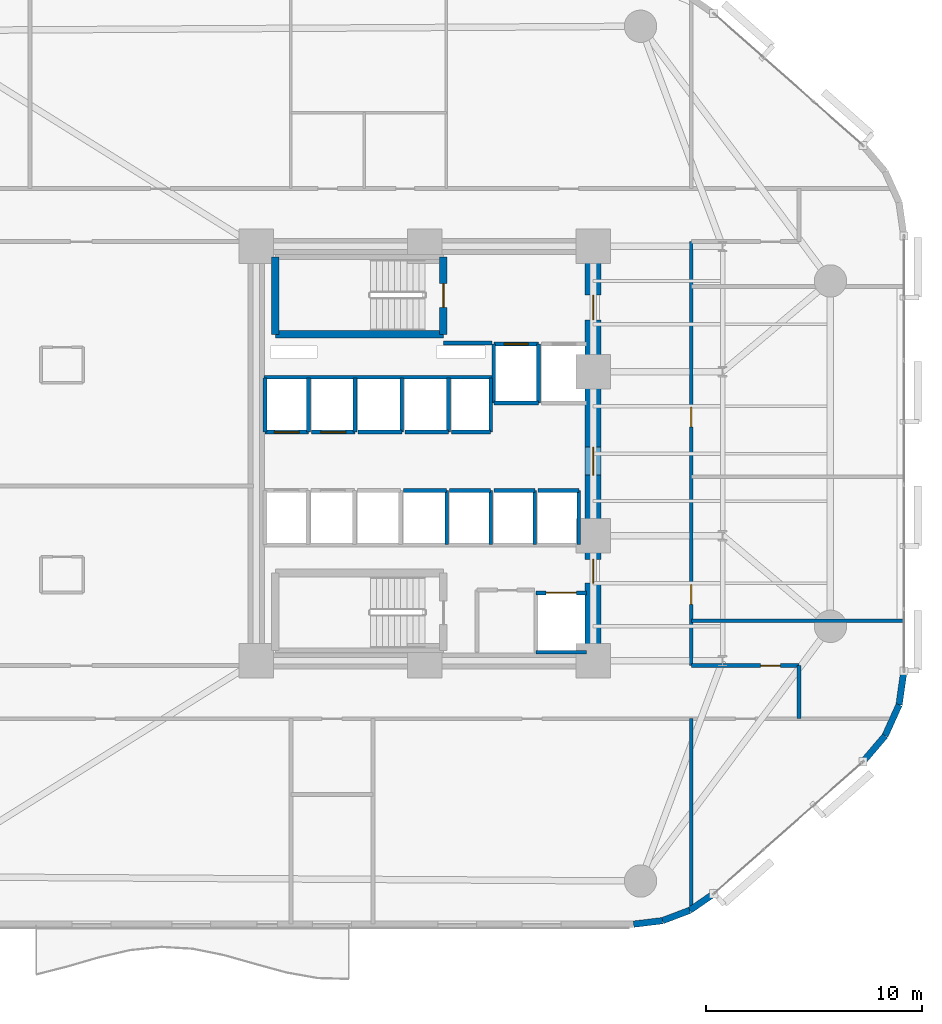
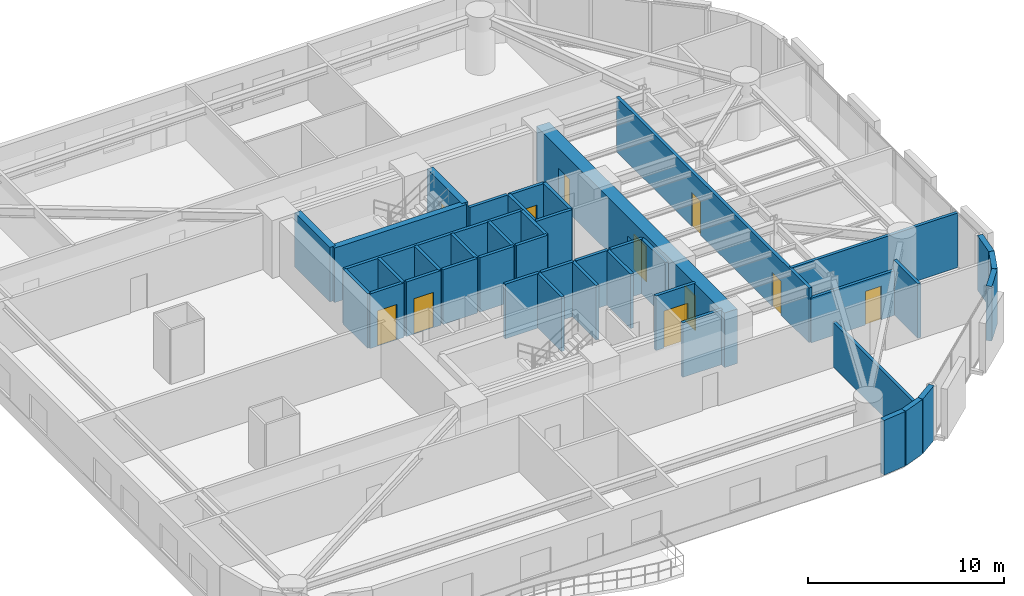
# One storey, part 11 of 16: 42 walls, 11 doors, 11 openings.
"""IFC4 building model written with IfcOpenShell, lengths in metres."""

from ifc_helpers import new_model, si_unit, direction, frame, frame_2d, origin, place, context, subcontext, project, spatial, rectangle, extrude, material, layer, layer_set, type_object, element, fill, save


model = new_model("IFC4")

# Units and contexts
model_context = context("Model", 3, precision=1e-05, world=origin(), true_north=direction((0.0, 1.0)))
body_context = subcontext(model_context, "Body", "Model", "MODEL_VIEW")
ifc_project = project(units=[si_unit("LENGTHUNIT", "METRE"), si_unit("AREAUNIT", "SQUARE_METRE"), si_unit("VOLUMEUNIT", "CUBIC_METRE"), si_unit("PLANEANGLEUNIT", "RADIAN"), si_unit("MASSUNIT", "GRAM", prefix="KILO")], contexts=[model_context])

# Site, building, storey
site_placement = place(None, origin())
site = spatial("IfcSite", under=ifc_project, at=site_placement, CompositionType="ELEMENT")
building_placement = place(site_placement, origin())
building = spatial("IfcBuilding", under=site, at=building_placement, Name="An Khanh Terracotta Commons", CompositionType="ELEMENT")
storey_placement = place(building_placement, frame((0.0, 0.0, 43.199951171875)))
storey = spatial("IfcBuildingStorey", under=building, at=storey_placement, Name="L11", CompositionType="ELEMENT", Elevation=43.199951171875)

# Wall, openings, doors
ifc_material_1 = material(Name="Concrete C70/85", Category="concrete")
ifc_layer_1 = layer(ifc_material_1, 0.75, Name="Concrete C70/85")
ifc_layer_set_1 = layer_set([ifc_layer_1], Name="Concrete C70/85")
wall_type_1 = type_object("IfcWallType", Name="WALL-CORE-750", PredefinedType="SHEAR", material=ifc_layer_set_1)
wall_1_placement = place(storey_placement, frame((37.199951171875, 14.39990234375, 0.0), z_axis=(0.0, 0.0, 1.0), x_axis=(0.0, 1.0, 0.0)))
wall_1 = element("IfcWall", 1, at=wall_1_placement, inside=storey, type_object=wall_type_1, Name="L11 Core Wall CWALL-L11-E", PredefinedType="SHEAR", context=body_context, shape_type="SweptSolid", body=[
    extrude(rectangle(XDim=19.2001953125, YDim=0.75, at=frame_2d((9.60009765625, 0.0))), origin(), (0.0, 0.0, 1.0), 3.400146484375),
])
opening_1_placement = place(wall_1_placement, frame((15.800048828125, 0.0, 0.0)))
opening_1 = element("IfcOpeningElement", 2, at=opening_1_placement, cuts=wall_1, Name="Opening D-FFL", PredefinedType="OPENING", context=body_context, shape_type="SweptSolid", body=[
    extrude(rectangle(XDim=1.14990234375, YDim=2.14990234375, at=frame_2d((0.574951171875, 1.074951171875))), frame((0.0, 0.385009765625, 0.0), z_axis=(0.0, -1.0, 0.0), x_axis=(1.0, 0.0, 0.0)), (0.0, 0.0, 1.0), 0.77001953125),
])
opening_2_placement = place(wall_1_placement, frame((3.60009765625, 0.0, 0.0)))
opening_2 = element("IfcOpeningElement", 3, at=opening_2_placement, cuts=wall_1, Name="Opening D-ST", PredefinedType="OPENING", context=body_context, shape_type="SweptSolid", body=[
    extrude(rectangle(XDim=1.10009765625, YDim=2.14990234375, at=frame_2d((0.550048828125, 1.074951171875))), frame((0.0, 0.385009765625, 0.0), z_axis=(0.0, -1.0, 0.0), x_axis=(1.0, 0.0, 0.0)), (0.0, 0.0, 1.0), 0.77001953125),
])
opening_3_placement = place(wall_1_placement, frame((8.60009765625, 0.0, 0.0)))
opening_3 = element("IfcOpeningElement", 4, at=opening_3_placement, cuts=wall_1, Name="Opening D-COR", PredefinedType="OPENING", context=body_context, shape_type="SweptSolid", body=[
    extrude(rectangle(XDim=1.300048828125, YDim=2.199951171875, at=frame_2d((0.64990234375, 1.10009765625))), frame((0.0, 0.385009765625, 0.0), z_axis=(0.0, -1.0, 0.0), x_axis=(1.0, 0.0, 0.0)), (0.0, 0.0, 1.0), 0.77001953125),
])
ifc_material_2 = material(Name="Fire-Rated Glazed Steel Double Door", Category="steel")
door_type_1 = type_object("IfcDoorType", Name="DOOR-CORR-1300", OperationType="NOTDEFINED", PredefinedType="DOOR", material=ifc_material_2)
door_1_placement = place(opening_3_placement, origin())
door_1 = element("IfcDoor", 5, at=door_1_placement, inside=storey, type_object=door_type_1, Name="L11 Passenger Lift Lobby Double Door", OperationType="DOUBLE_DOOR_SINGLE_SWING", OverallHeight=2.199951171875, OverallWidth=1.300048828125, PredefinedType="DOOR", context=body_context, shape_type="SweptSolid", body=[
    extrude(rectangle(XDim=1.300048828125, YDim=2.199951171875, at=frame_2d((0.64990234375, 1.10009765625))), frame((0.0, 0.02490234375, 0.0), z_axis=(0.0, -1.0, 0.0), x_axis=(1.0, 0.0, 0.0)), (0.0, 0.0, 1.0), 0.050048828125),
])
fill(opening_3, door_1)
ifc_material_3 = material(Name="Fire-Rated Steel Leaf and Vision Panel", Category="steel")
door_type_2 = type_object("IfcDoorType", Name="DOOR-FFL-1150", OperationType="NOTDEFINED", PredefinedType="DOOR", material=ifc_material_3)
door_2_placement = place(opening_1_placement, origin())
door_2 = element("IfcDoor", 6, at=door_2_placement, inside=storey, type_object=door_type_2, Name="L11 Firefighting Lift Lobby Fire Door", OperationType="SINGLE_SWING_RIGHT", OverallHeight=2.14990234375, OverallWidth=1.14990234375, PredefinedType="DOOR", context=body_context, shape_type="SweptSolid", body=[
    extrude(rectangle(XDim=1.14990234375, YDim=2.14990234375, at=frame_2d((0.574951171875, 1.074951171875))), frame((0.0, 0.02490234375, 0.0), z_axis=(0.0, -1.0, 0.0), x_axis=(1.0, 0.0, 0.0)), (0.0, 0.0, 1.0), 0.050048828125),
])
fill(opening_1, door_2)
ifc_material_4 = material(Name="Fire-Rated Steel Leaf and Frame", Category="steel")
door_type_3 = type_object("IfcDoorType", Name="DOOR-STAIR-1100", OperationType="NOTDEFINED", PredefinedType="DOOR", material=ifc_material_4)
door_3_placement = place(opening_2_placement, origin())
door_3 = element("IfcDoor", 7, at=door_3_placement, inside=storey, type_object=door_type_3, Name="L11 South Stair Lobby Fire Door", OperationType="SINGLE_SWING_LEFT", OverallHeight=2.14990234375, OverallWidth=1.10009765625, PredefinedType="DOOR", context=body_context, shape_type="SweptSolid", body=[
    extrude(rectangle(XDim=1.10009765625, YDim=2.14990234375, at=frame_2d((0.550048828125, 1.074951171875))), frame((0.0, 0.02490234375, 0.0), z_axis=(0.0, -1.0, 0.0), x_axis=(1.0, 0.0, 0.0)), (0.0, 0.0, 1.0), 0.050048828125),
])
fill(opening_2, door_3)

# Walls
ifc_material_5 = material(Name="Fire-Rated Gypsum Board on Steel Stud", Category="steel")
ifc_layer_2 = layer(ifc_material_5, 0.179931640625, Name="Fire-Rated Gypsum Board on Steel Stud")
ifc_layer_set_2 = layer_set([ifc_layer_2], Name="Fire-Rated Gypsum Board on Steel Stud")
wall_type_2 = type_object("IfcWallType", Name="WALL-CORR-180", PredefinedType="PARTITIONING", material=ifc_layer_set_2)
wall_2_placement = place(storey_placement, frame((30.27001953125, 29.1201171875, 0.0), z_axis=(0.0, 0.0, 1.0), x_axis=(1.0, 0.0, 0.0)))
element("IfcWall", 8, at=wall_2_placement, inside=storey, type_object=wall_type_2, Name="L11 Core Wall FFLW-L11-S", PredefinedType="PARTITIONING", context=body_context, shape_type="SweptSolid", body=[
    extrude(rectangle(XDim=2.239990234375, YDim=0.179931640625, at=frame_2d((1.1201171875, 0.0))), origin(), (0.0, 0.0, 1.0), 3.400146484375),
])
wall_3_placement = place(storey_placement, frame((21.949951171875, 27.5400390625, 0.0), z_axis=(0.0, 0.0, 1.0), x_axis=(1.0, 0.0, 0.0)))
element("IfcWall", 9, at=wall_3_placement, inside=storey, type_object=wall_type_2, Name="L11 Core Wall RSRW-L11-S", PredefinedType="PARTITIONING", context=body_context, shape_type="SweptSolid", body=[
    extrude(rectangle(XDim=10.56005859375, YDim=0.179931640625, at=frame_2d((5.280029296875, 0.0))), origin(), (0.0, 0.0, 1.0), 3.400146484375),
])

# Wall, opening, door
wall_4_placement = place(storey_placement, frame((32.60009765625, 29.080078125, 0.0), z_axis=(0.0, 0.0, 1.0), x_axis=(1.0, 0.0, 0.0)))
wall_4 = element("IfcWall", 10, at=wall_4_placement, inside=storey, type_object=wall_type_2, Name="L11 Core Wall LSH-L11-FFL-01-N", PredefinedType="PARTITIONING", context=body_context, shape_type="SweptSolid", body=[
    extrude(rectangle(XDim=2.079833984375, YDim=0.179931640625, at=frame_2d((1.0400390625, 0.0))), origin(), (0.0, 0.0, 1.0), 3.400146484375),
])
opening_4_placement = place(wall_4_placement, frame((0.489990234375, 0.0, 0.0)))
opening_4 = element("IfcOpeningElement", 11, at=opening_4_placement, cuts=wall_4, Name="Opening LD-FFL-01-L11", PredefinedType="OPENING", context=body_context, shape_type="SweptSolid", body=[
    extrude(rectangle(XDim=1.10009765625, YDim=2.199951171875, at=frame_2d((0.550048828125, 1.10009765625))), frame((0.0, 0.099853515625, 0.0), z_axis=(0.0, -1.0, 0.0), x_axis=(1.0, 0.0, 0.0)), (0.0, 0.0, 1.0), 0.199951171875),
])
ifc_material_6 = material(Name="Brushed Stainless Steel Fire Landing Door", Category="steel")
door_type_4 = type_object("IfcDoorType", Name="DOOR-LD-FFL-1100", OperationType="NOTDEFINED", PredefinedType="DOOR", material=ifc_material_6)
door_4_placement = place(opening_4_placement, origin())
door_4 = element("IfcDoor", 12, at=door_4_placement, inside=storey, type_object=door_type_4, Name="L11 Lift FFL-01 Sliding Landing Door", OperationType="DOUBLE_DOOR_SLIDING", OverallHeight=2.199951171875, OverallWidth=1.10009765625, PredefinedType="DOOR", context=body_context, shape_type="SweptSolid", body=[
    extrude(rectangle(XDim=1.10009765625, YDim=2.199951171875, at=frame_2d((0.550048828125, 1.10009765625))), frame((0.0, 0.02490234375, 0.0), z_axis=(0.0, -1.0, 0.0), x_axis=(1.0, 0.0, 0.0)), (0.0, 0.0, 1.0), 0.050048828125),
])
fill(opening_4, door_4)

# Walls
wall_5_placement = place(storey_placement, frame((34.679931640625, 26.35009765625, 0.0), z_axis=(0.0, 0.0, 1.0), x_axis=(-1.0, 0.0, 0.0)))
element("IfcWall", 13, at=wall_5_placement, inside=storey, type_object=wall_type_2, Name="L11 Core Wall LSH-L11-FFL-01-S", PredefinedType="PARTITIONING", context=body_context, shape_type="SweptSolid", body=[
    extrude(rectangle(XDim=2.079833984375, YDim=0.179931640625, at=frame_2d((1.0400390625, 0.0))), origin(), (0.0, 0.0, 1.0), 3.400146484375),
])
for number, where, z_axis, x_axis, name in (
    (14, (34.679931640625, 26.35009765625, 0.0), (0.0, 0.0, 1.0), (0.0, 1.0, 0.0), "L11 Core Wall LSH-L11-FFL-01-E"),
    (15, (32.60009765625, 29.080078125, 0.0), (0.0, 0.0, 1.0), (0.0, -1.0, 0.0), "L11 Core Wall LSH-L11-FFL-01-W"),
):
    element("IfcWall", number, at=place(storey_placement, frame(where, z_axis=z_axis, x_axis=x_axis)), inside=storey, type_object=wall_type_2, Name=name, PredefinedType="PARTITIONING", context=body_context, shape_type="SweptSolid", body=[
        extrude(rectangle(XDim=2.72998046875, YDim=0.179931640625, at=frame_2d((1.364990234375, 0.0))), origin(), (0.0, 0.0, 1.0), 3.400146484375),
    ])

# Wall, opening, door
wall_6_placement = place(storey_placement, frame((34.550048828125, 17.550048828125, 0.0), z_axis=(0.0, 0.0, 1.0), x_axis=(1.0, 0.0, 0.0)))
wall_6 = element("IfcWall", 16, at=wall_6_placement, inside=storey, type_object=wall_type_2, Name="L11 Core Wall LSH-L11-SVL-01-N", PredefinedType="PARTITIONING", context=body_context, shape_type="SweptSolid", body=[
    extrude(rectangle(XDim=2.349853515625, YDim=0.179931640625, at=frame_2d((1.1748046875, 0.0))), origin(), (0.0, 0.0, 1.0), 3.400146484375),
])
opening_5_placement = place(wall_6_placement, frame((0.47509765625, 0.0, 0.0)))
opening_5 = element("IfcOpeningElement", 17, at=opening_5_placement, cuts=wall_6, Name="Opening LD-SVL-01-L11", PredefinedType="OPENING", context=body_context, shape_type="SweptSolid", body=[
    extrude(rectangle(XDim=1.39990234375, YDim=2.300048828125, at=frame_2d((0.699951171875, 1.14990234375))), frame((0.0, 0.099853515625, 0.0), z_axis=(0.0, -1.0, 0.0), x_axis=(1.0, 0.0, 0.0)), (0.0, 0.0, 1.0), 0.199951171875),
])
ifc_material_7 = material(Name="Heavy-Duty Stainless Steel Goods Landing Door", Category="steel")
door_type_5 = type_object("IfcDoorType", Name="DOOR-LD-SVL-1400", OperationType="NOTDEFINED", PredefinedType="DOOR", material=ifc_material_7)
door_5_placement = place(opening_5_placement, origin())
door_5 = element("IfcDoor", 18, at=door_5_placement, inside=storey, type_object=door_type_5, Name="L11 Lift SVL-01 Sliding Landing Door", OperationType="DOUBLE_DOOR_SLIDING", OverallHeight=2.300048828125, OverallWidth=1.39990234375, PredefinedType="DOOR", context=body_context, shape_type="SweptSolid", body=[
    extrude(rectangle(XDim=1.39990234375, YDim=2.300048828125, at=frame_2d((0.699951171875, 1.14990234375))), frame((0.0, 0.02490234375, 0.0), z_axis=(0.0, -1.0, 0.0), x_axis=(1.0, 0.0, 0.0)), (0.0, 0.0, 1.0), 0.050048828125),
])
fill(opening_5, door_5)

# Wall
wall_7_placement = place(storey_placement, frame((36.89990234375, 14.800048828125, 0.0), z_axis=(0.0, 0.0, 1.0), x_axis=(-1.0, 0.0, 0.0)))
element("IfcWall", 19, at=wall_7_placement, inside=storey, type_object=wall_type_2, Name="L11 Core Wall LSH-L11-SVL-01-S", PredefinedType="PARTITIONING", context=body_context, shape_type="SweptSolid", body=[
    extrude(rectangle(XDim=2.349853515625, YDim=0.179931640625, at=frame_2d((1.1748046875, 0.0))), origin(), (0.0, 0.0, 1.0), 3.400146484375),
])

# Wall, opening, door
wall_8_placement = place(storey_placement, frame((24.02001953125, 25.0, 0.0), z_axis=(0.0, 0.0, 1.0), x_axis=(-1.0, 0.0, 0.0)))
wall_8 = element("IfcWall", 20, at=wall_8_placement, inside=storey, type_object=wall_type_2, Name="L11 Core Wall LSH-L11-PL-L1-S", PredefinedType="PARTITIONING", context=body_context, shape_type="SweptSolid", body=[
    extrude(rectangle(XDim=2.02001953125, YDim=0.179931640625, at=frame_2d((1.010009765625, 0.0))), origin(), (0.0, 0.0, 1.0), 3.400146484375),
])
opening_6_placement = place(wall_8_placement, frame((0.43505859375, 0.0, 0.0)))
opening_6 = element("IfcOpeningElement", 21, at=opening_6_placement, cuts=wall_8, Name="Opening LD-PL-L1-L11", PredefinedType="OPENING", context=body_context, shape_type="SweptSolid", body=[
    extrude(rectangle(XDim=1.14990234375, YDim=2.199951171875, at=frame_2d((0.574951171875, 1.10009765625))), frame((0.0, 0.099853515625, 0.0), z_axis=(0.0, -1.0, 0.0), x_axis=(1.0, 0.0, 0.0)), (0.0, 0.0, 1.0), 0.199951171875),
])
ifc_material_8 = material(Name="Brushed Stainless Steel Passenger Landing Door", Category="steel")
door_type_6 = type_object("IfcDoorType", Name="DOOR-LD-PAX-1150", OperationType="NOTDEFINED", PredefinedType="DOOR", material=ifc_material_8)
door_6_placement = place(opening_6_placement, origin())
door_6 = element("IfcDoor", 22, at=door_6_placement, inside=storey, type_object=door_type_6, Name="L11 Lift PL-L1 Sliding Landing Door", OperationType="DOUBLE_DOOR_SLIDING", OverallHeight=2.199951171875, OverallWidth=1.14990234375, PredefinedType="DOOR", context=body_context, shape_type="SweptSolid", body=[
    extrude(rectangle(XDim=1.14990234375, YDim=2.199951171875, at=frame_2d((0.574951171875, 1.10009765625))), frame((0.0, 0.02490234375, 0.0), z_axis=(0.0, -1.0, 0.0), x_axis=(1.0, 0.0, 0.0)), (0.0, 0.0, 1.0), 0.050048828125),
])
fill(opening_6, door_6)

# Walls
for number, where, z_axis, x_axis, name in (
    (23, (24.02001953125, 25.0, 0.0), (0.0, 0.0, 1.0), (0.0, 1.0, 0.0), "L11 Core Wall LSH-L11-PL-L1-E"),
    (24, (22.0, 27.5, 0.0), (0.0, 0.0, 1.0), (0.0, -1.0, 0.0), "L11 Core Wall LSH-L11-PL-L1-W"),
):
    element("IfcWall", number, at=place(storey_placement, frame(where, z_axis=z_axis, x_axis=x_axis)), inside=storey, type_object=wall_type_2, Name=name, PredefinedType="PARTITIONING", context=body_context, shape_type="SweptSolid", body=[
        extrude(rectangle(XDim=2.5, YDim=0.179931640625, at=frame_2d((1.25, 0.0))), origin(), (0.0, 0.0, 1.0), 3.400146484375),
    ])

# Wall, opening, door
wall_9_placement = place(storey_placement, frame((26.179931640625, 25.0, 0.0), z_axis=(0.0, 0.0, 1.0), x_axis=(-1.0, 0.0, 0.0)))
wall_9 = element("IfcWall", 25, at=wall_9_placement, inside=storey, type_object=wall_type_2, Name="L11 Core Wall LSH-L11-PL-L2-S", PredefinedType="PARTITIONING", context=body_context, shape_type="SweptSolid", body=[
    extrude(rectangle(XDim=2.02001953125, YDim=0.179931640625, at=frame_2d((1.010009765625, 0.0))), origin(), (0.0, 0.0, 1.0), 3.400146484375),
])
opening_7_placement = place(wall_9_placement, frame((0.43505859375, 0.0, 0.0)))
opening_7 = element("IfcOpeningElement", 26, at=opening_7_placement, cuts=wall_9, Name="Opening LD-PL-L2-L11", PredefinedType="OPENING", context=body_context, shape_type="SweptSolid", body=[
    extrude(rectangle(XDim=1.14990234375, YDim=2.199951171875, at=frame_2d((0.574951171875, 1.10009765625))), frame((0.0, 0.099853515625, 0.0), z_axis=(0.0, -1.0, 0.0), x_axis=(1.0, 0.0, 0.0)), (0.0, 0.0, 1.0), 0.199951171875),
])
door_7_placement = place(opening_7_placement, origin())
door_7 = element("IfcDoor", 27, at=door_7_placement, inside=storey, type_object=door_type_6, Name="L11 Lift PL-L2 Sliding Landing Door", OperationType="DOUBLE_DOOR_SLIDING", OverallHeight=2.199951171875, OverallWidth=1.14990234375, PredefinedType="DOOR", context=body_context, shape_type="SweptSolid", body=[
    extrude(rectangle(XDim=1.14990234375, YDim=2.199951171875, at=frame_2d((0.574951171875, 1.10009765625))), frame((0.0, 0.02490234375, 0.0), z_axis=(0.0, -1.0, 0.0), x_axis=(1.0, 0.0, 0.0)), (0.0, 0.0, 1.0), 0.050048828125),
])
fill(opening_7, door_7)

# Walls
wall_10_placement = place(storey_placement, frame((26.179931640625, 25.0, 0.0), z_axis=(0.0, 0.0, 1.0), x_axis=(0.0, 1.0, 0.0)))
element("IfcWall", 28, at=wall_10_placement, inside=storey, type_object=wall_type_2, Name="L11 Core Wall LSH-L11-PL-L2-E", PredefinedType="PARTITIONING", context=body_context, shape_type="SweptSolid", body=[
    extrude(rectangle(XDim=2.5, YDim=0.179931640625, at=frame_2d((1.25, 0.0))), origin(), (0.0, 0.0, 1.0), 3.400146484375),
])
wall_11_placement = place(storey_placement, frame((28.340087890625, 25.0, 0.0), z_axis=(0.0, 0.0, 1.0), x_axis=(-1.0, 0.0, 0.0)))
element("IfcWall", 29, at=wall_11_placement, inside=storey, type_object=wall_type_2, Name="L11 Core Wall LSH-L11-PL-M1-S", PredefinedType="PARTITIONING", context=body_context, shape_type="SweptSolid", body=[
    extrude(rectangle(XDim=2.02001953125, YDim=0.179931640625, at=frame_2d((1.010009765625, 0.0))), origin(), (0.0, 0.0, 1.0), 3.400146484375),
])
wall_12_placement = place(storey_placement, frame((28.340087890625, 25.0, 0.0), z_axis=(0.0, 0.0, 1.0), x_axis=(0.0, 1.0, 0.0)))
element("IfcWall", 30, at=wall_12_placement, inside=storey, type_object=wall_type_2, Name="L11 Core Wall LSH-L11-PL-M1-E", PredefinedType="PARTITIONING", context=body_context, shape_type="SweptSolid", body=[
    extrude(rectangle(XDim=2.5, YDim=0.179931640625, at=frame_2d((1.25, 0.0))), origin(), (0.0, 0.0, 1.0), 3.400146484375),
])
wall_13_placement = place(storey_placement, frame((30.5, 25.0, 0.0), z_axis=(0.0, 0.0, 1.0), x_axis=(-1.0, 0.0, 0.0)))
element("IfcWall", 31, at=wall_13_placement, inside=storey, type_object=wall_type_2, Name="L11 Core Wall LSH-L11-PL-M2-S", PredefinedType="PARTITIONING", context=body_context, shape_type="SweptSolid", body=[
    extrude(rectangle(XDim=2.02001953125, YDim=0.179931640625, at=frame_2d((1.010009765625, 0.0))), origin(), (0.0, 0.0, 1.0), 3.400146484375),
])
wall_14_placement = place(storey_placement, frame((30.5, 25.0, 0.0), z_axis=(0.0, 0.0, 1.0), x_axis=(0.0, 1.0, 0.0)))
element("IfcWall", 32, at=wall_14_placement, inside=storey, type_object=wall_type_2, Name="L11 Core Wall LSH-L11-PL-M2-E", PredefinedType="PARTITIONING", context=body_context, shape_type="SweptSolid", body=[
    extrude(rectangle(XDim=2.5, YDim=0.179931640625, at=frame_2d((1.25, 0.0))), origin(), (0.0, 0.0, 1.0), 3.400146484375),
])
wall_15_placement = place(storey_placement, frame((28.419921875, 22.300048828125, 0.0), z_axis=(0.0, 0.0, 1.0), x_axis=(1.0, 0.0, 0.0)))
element("IfcWall", 33, at=wall_15_placement, inside=storey, type_object=wall_type_2, Name="L11 Core Wall LSH-L11-PL-M4-N", PredefinedType="PARTITIONING", context=body_context, shape_type="SweptSolid", body=[
    extrude(rectangle(XDim=2.0, YDim=0.179931640625, at=frame_2d((1.0, 0.0))), origin(), (0.0, 0.0, 1.0), 3.400146484375),
])
wall_16_placement = place(storey_placement, frame((30.419921875, 19.800048828125, 0.0), z_axis=(0.0, 0.0, 1.0), x_axis=(0.0, 1.0, 0.0)))
element("IfcWall", 34, at=wall_16_placement, inside=storey, type_object=wall_type_2, Name="L11 Core Wall LSH-L11-PL-M4-E", PredefinedType="PARTITIONING", context=body_context, shape_type="SweptSolid", body=[
    extrude(rectangle(XDim=2.5, YDim=0.179931640625, at=frame_2d((1.25, 0.0))), origin(), (0.0, 0.0, 1.0), 3.400146484375),
])
wall_17_placement = place(storey_placement, frame((32.4599609375, 25.0, 0.0), z_axis=(0.0, 0.0, 1.0), x_axis=(-1.0, 0.0, 0.0)))
element("IfcWall", 35, at=wall_17_placement, inside=storey, type_object=wall_type_2, Name="L11 Core Wall LSH-L11-PL-H1-S", PredefinedType="PARTITIONING", context=body_context, shape_type="SweptSolid", body=[
    extrude(rectangle(XDim=1.820068359375, YDim=0.179931640625, at=frame_2d((0.91015625, 0.0))), origin(), (0.0, 0.0, 1.0), 3.400146484375),
])
wall_18_placement = place(storey_placement, frame((32.4599609375, 25.0, 0.0), z_axis=(0.0, 0.0, 1.0), x_axis=(0.0, 1.0, 0.0)))
element("IfcWall", 36, at=wall_18_placement, inside=storey, type_object=wall_type_2, Name="L11 Core Wall LSH-L11-PL-H1-E", PredefinedType="PARTITIONING", context=body_context, shape_type="SweptSolid", body=[
    extrude(rectangle(XDim=2.5, YDim=0.179931640625, at=frame_2d((1.25, 0.0))), origin(), (0.0, 0.0, 1.0), 3.400146484375),
])
wall_19_placement = place(storey_placement, frame((30.56005859375, 22.300048828125, 0.0), z_axis=(0.0, 0.0, 1.0), x_axis=(1.0, 0.0, 0.0)))
element("IfcWall", 37, at=wall_19_placement, inside=storey, type_object=wall_type_2, Name="L11 Core Wall LSH-L11-PL-H2-N", PredefinedType="PARTITIONING", context=body_context, shape_type="SweptSolid", body=[
    extrude(rectangle(XDim=1.89990234375, YDim=0.179931640625, at=frame_2d((0.949951171875, 0.0))), origin(), (0.0, 0.0, 1.0), 3.400146484375),
])
wall_20_placement = place(storey_placement, frame((32.4599609375, 19.800048828125, 0.0), z_axis=(0.0, 0.0, 1.0), x_axis=(0.0, 1.0, 0.0)))
element("IfcWall", 38, at=wall_20_placement, inside=storey, type_object=wall_type_2, Name="L11 Core Wall LSH-L11-PL-H2-E", PredefinedType="PARTITIONING", context=body_context, shape_type="SweptSolid", body=[
    extrude(rectangle(XDim=2.5, YDim=0.179931640625, at=frame_2d((1.25, 0.0))), origin(), (0.0, 0.0, 1.0), 3.400146484375),
])
wall_21_placement = place(storey_placement, frame((32.60009765625, 22.300048828125, 0.0), z_axis=(0.0, 0.0, 1.0), x_axis=(1.0, 0.0, 0.0)))
element("IfcWall", 39, at=wall_21_placement, inside=storey, type_object=wall_type_2, Name="L11 Core Wall LSH-L11-PL-H3-N", PredefinedType="PARTITIONING", context=body_context, shape_type="SweptSolid", body=[
    extrude(rectangle(XDim=1.89990234375, YDim=0.179931640625, at=frame_2d((0.949951171875, 0.0))), origin(), (0.0, 0.0, 1.0), 3.400146484375),
])
wall_22_placement = place(storey_placement, frame((34.5, 19.800048828125, 0.0), z_axis=(0.0, 0.0, 1.0), x_axis=(0.0, 1.0, 0.0)))
element("IfcWall", 40, at=wall_22_placement, inside=storey, type_object=wall_type_2, Name="L11 Core Wall LSH-L11-PL-H3-E", PredefinedType="PARTITIONING", context=body_context, shape_type="SweptSolid", body=[
    extrude(rectangle(XDim=2.5, YDim=0.179931640625, at=frame_2d((1.25, 0.0))), origin(), (0.0, 0.0, 1.0), 3.400146484375),
])
wall_23_placement = place(storey_placement, frame((34.639892578125, 22.300048828125, 0.0), z_axis=(0.0, 0.0, 1.0), x_axis=(1.0, 0.0, 0.0)))
element("IfcWall", 41, at=wall_23_placement, inside=storey, type_object=wall_type_2, Name="L11 Core Wall LSH-L11-PL-H4-N", PredefinedType="PARTITIONING", context=body_context, shape_type="SweptSolid", body=[
    extrude(rectangle(XDim=1.900146484375, YDim=0.179931640625, at=frame_2d((0.9501953125, 0.0))), origin(), (0.0, 0.0, 1.0), 3.400146484375),
])
wall_24_placement = place(storey_placement, frame((36.5400390625, 19.800048828125, 0.0), z_axis=(0.0, 0.0, 1.0), x_axis=(0.0, 1.0, 0.0)))
element("IfcWall", 42, at=wall_24_placement, inside=storey, type_object=wall_type_2, Name="L11 Core Wall LSH-L11-PL-H4-E", PredefinedType="PARTITIONING", context=body_context, shape_type="SweptSolid", body=[
    extrude(rectangle(XDim=2.5, YDim=0.179931640625, at=frame_2d((1.25, 0.0))), origin(), (0.0, 0.0, 1.0), 3.400146484375),
])

# Wall, opening, door
wall_25_placement = place(storey_placement, frame((41.75, 14.179931640625, 0.0), z_axis=(0.0, 0.0, 1.0), x_axis=(1.0, 0.0, 0.0)))
wall_25 = element("IfcWall", 43, at=wall_25_placement, inside=storey, type_object=wall_type_2, Name="L11 Interior Partition IW-L11-E004", PredefinedType="PARTITIONING", context=body_context, shape_type="SweptSolid", body=[
    extrude(rectangle(XDim=5.0, YDim=0.179931640625, at=frame_2d((2.5, 0.0))), origin(), (0.0, 0.0, 1.0), 2.781982421875),
])
opening_8_placement = place(wall_25_placement, frame((3.208984375, 0.0, 0.0)))
opening_8 = element("IfcOpeningElement", 44, at=opening_8_placement, cuts=wall_25, Name="Opening D-RM", PredefinedType="OPENING", context=body_context, shape_type="SweptSolid", body=[
    extrude(rectangle(XDim=0.919921875, YDim=2.10009765625, at=frame_2d((0.4599609375, 1.050048828125))), frame((0.0, 0.099853515625, 0.0), z_axis=(0.0, -1.0, 0.0), x_axis=(1.0, 0.0, 0.0)), (0.0, 0.0, 1.0), 0.199951171875),
])
ifc_material_9 = material(Name="Engineered Hardwood Timber Leaf", Category="wood")
door_type_7 = type_object("IfcDoorType", Name="DOOR-INT-920", OperationType="NOTDEFINED", PredefinedType="DOOR", material=ifc_material_9)
door_8_placement = place(opening_8_placement, origin())
door_8 = element("IfcDoor", 45, at=door_8_placement, inside=storey, type_object=door_type_7, Name="L11 FAN1 Co-Living Private Bedroom Door", OperationType="SINGLE_SWING_RIGHT", OverallHeight=2.10009765625, OverallWidth=0.919921875, PredefinedType="DOOR", context=body_context, shape_type="SweptSolid", body=[
    extrude(rectangle(XDim=0.919921875, YDim=2.10009765625, at=frame_2d((0.4599609375, 1.050048828125))), frame((0.0, 0.02490234375, 0.0), z_axis=(0.0, -1.0, 0.0), x_axis=(1.0, 0.0, 0.0)), (0.0, 0.0, 1.0), 0.050048828125),
])
fill(opening_8, door_8)

# Walls
wall_26_placement = place(storey_placement, frame((41.75, 16.258056640625, 0.0), z_axis=(0.0, 0.0, 1.0), x_axis=(1.0, 0.0, 0.0)))
element("IfcWall", 46, at=wall_26_placement, inside=storey, type_object=wall_type_2, Name="L11 Interior Partition IW-L11-E005", PredefinedType="PARTITIONING", context=body_context, shape_type="SweptSolid", body=[
    extrude(rectangle(XDim=9.85009765625, YDim=0.179931640625, at=frame_2d((4.925048828125, 0.0))), origin(), (0.0, 0.0, 1.0), 3.400146484375),
])
wall_27_placement = place(storey_placement, frame((41.75, 2.888916015625, 0.0), z_axis=(0.0, 0.0, 1.0), x_axis=(0.0, 1.0, 0.0)))
element("IfcWall", 47, at=wall_27_placement, inside=storey, type_object=wall_type_2, Name="L11 Interior Partition IW-L11-E021", PredefinedType="PARTITIONING", context=body_context, shape_type="SweptSolid", body=[
    extrude(rectangle(XDim=8.8310546875, YDim=0.179931640625, at=frame_2d((4.41552734375, 0.0))), origin(), (0.0, 0.0, 1.0), 2.781982421875),
])

# Wall, openings, doors
wall_28_placement = place(storey_placement, frame((41.75, 14.179931640625, 0.0), z_axis=(0.0, 0.0, 1.0), x_axis=(0.0, 1.0, 0.0)))
wall_28 = element("IfcWall", 48, at=wall_28_placement, inside=storey, type_object=wall_type_2, Name="L11 Interior Partition IW-L11-E022", PredefinedType="PARTITIONING", context=body_context, shape_type="SweptSolid", body=[
    extrude(rectangle(XDim=19.64013671875, YDim=0.179931640625, at=frame_2d((9.820068359375, 0.0))), origin(), (0.0, 0.0, 1.0), 3.400146484375),
])
opening_9_placement = place(wall_28_placement, frame((2.8359375, 0.0, 0.0)))
opening_9 = element("IfcOpeningElement", 49, at=opening_9_placement, cuts=wall_28, Name="Opening D-RM", PredefinedType="OPENING", context=body_context, shape_type="SweptSolid", body=[
    extrude(rectangle(XDim=0.919921875, YDim=2.10009765625, at=frame_2d((0.4599609375, 1.050048828125))), frame((0.0, 0.099853515625, 0.0), z_axis=(0.0, -1.0, 0.0), x_axis=(1.0, 0.0, 0.0)), (0.0, 0.0, 1.0), 0.199951171875),
])
opening_10_placement = place(wall_28_placement, frame((11.05908203125, 0.0, 0.0)))
opening_10 = element("IfcOpeningElement", 50, at=opening_10_placement, cuts=wall_28, Name="Opening D-RM", PredefinedType="OPENING", context=body_context, shape_type="SweptSolid", body=[
    extrude(rectangle(XDim=0.919921875, YDim=2.10009765625, at=frame_2d((0.4599609375, 1.050048828125))), frame((0.0, 0.099853515625, 0.0), z_axis=(0.0, -1.0, 0.0), x_axis=(1.0, 0.0, 0.0)), (0.0, 0.0, 1.0), 0.199951171875),
])
door_9_placement = place(opening_9_placement, origin())
door_9 = element("IfcDoor", 51, at=door_9_placement, inside=storey, type_object=door_type_7, Name="L11 FAN2 Collaborative Study Lounge Door", OperationType="SINGLE_SWING_LEFT", OverallHeight=2.10009765625, OverallWidth=0.919921875, PredefinedType="DOOR", context=body_context, shape_type="SweptSolid", body=[
    extrude(rectangle(XDim=0.919921875, YDim=2.10009765625, at=frame_2d((0.4599609375, 1.050048828125))), frame((0.0, 0.02490234375, 0.0), z_axis=(0.0, -1.0, 0.0), x_axis=(1.0, 0.0, 0.0)), (0.0, 0.0, 1.0), 0.050048828125),
])
fill(opening_9, door_9)
door_10_placement = place(opening_10_placement, origin())
door_10 = element("IfcDoor", 52, at=door_10_placement, inside=storey, type_object=door_type_7, Name="L11 FAN3 Collaborative Study Lounge Door", OperationType="SINGLE_SWING_RIGHT", OverallHeight=2.10009765625, OverallWidth=0.919921875, PredefinedType="DOOR", context=body_context, shape_type="SweptSolid", body=[
    extrude(rectangle(XDim=0.919921875, YDim=2.10009765625, at=frame_2d((0.4599609375, 1.050048828125))), frame((0.0, 0.02490234375, 0.0), z_axis=(0.0, -1.0, 0.0), x_axis=(1.0, 0.0, 0.0)), (0.0, 0.0, 1.0), 0.050048828125),
])
fill(opening_10, door_10)

# Walls
wall_29_placement = place(storey_placement, frame((46.75, 11.719970703125, 0.0), z_axis=(0.0, 0.0, 1.0), x_axis=(0.0, 1.0, 0.0)))
element("IfcWall", 53, at=wall_29_placement, inside=storey, type_object=wall_type_2, Name="L11 Interior Partition IW-L11-E024", PredefinedType="PARTITIONING", context=body_context, shape_type="SweptSolid", body=[
    extrude(rectangle(XDim=2.4599609375, YDim=0.179931640625, at=frame_2d((1.22998046875, 0.0))), origin(), (0.0, 0.0, 1.0), 3.400146484375),
])
ifc_material_10 = material(Name="Precast concrete C40/50", Category="concrete")
ifc_layer_3 = layer(ifc_material_10, 0.300048828125, Name="Precast concrete C40/50")
ifc_layer_set_3 = layer_set([ifc_layer_3], Name="Precast concrete C40/50")
wall_type_3 = type_object("IfcWallType", Name="WALL-EXT-300", PredefinedType="SOLIDWALL", material=ifc_layer_set_3)
wall_30_placement = place(storey_placement, frame((39.0791015625, 2.199951171875, 0.0), z_axis=(0.0, 0.0, 1.0), x_axis=(0.992739027259, 0.120288086515, 0.0)))
element("IfcWall", 54, at=wall_30_placement, inside=storey, type_object=wall_type_3, Name="L11 Insulated Terracotta Exterior Wall 5", PredefinedType="SOLIDWALL", context=body_context, shape_type="SweptSolid", body=[
    extrude(rectangle(XDim=1.34765625, YDim=0.300048828125, at=frame_2d((0.673828125, 0.0))), origin(), (0.0, 0.0, 1.0), 3.400146484375),
])
wall_31_placement = place(storey_placement, frame((40.4169921875, 2.362060546875, 0.0), z_axis=(0.0, 0.0, 1.0), x_axis=(0.935156721165, 0.354234254216, 0.0)))
element("IfcWall", 55, at=wall_31_placement, inside=storey, type_object=wall_type_3, Name="L11 Insulated Terracotta Exterior Wall 6", PredefinedType="SOLIDWALL", context=body_context, shape_type="SweptSolid", body=[
    extrude(rectangle(XDim=1.349365234375, YDim=0.300048828125, at=frame_2d((0.6748046875, 0.0))), origin(), (0.0, 0.0, 1.0), 3.400146484375),
])
wall_32_placement = place(storey_placement, frame((41.678955078125, 2.840087890625, 0.0), z_axis=(0.0, 0.0, 1.0), x_axis=(0.823116500192, 0.567872544777, 0.0)))
element("IfcWall", 56, at=wall_32_placement, inside=storey, type_object=wall_type_3, Name="L11 Insulated Terracotta Exterior Wall 7", PredefinedType="SOLIDWALL", context=body_context, shape_type="SweptSolid", body=[
    extrude(rectangle(XDim=1.3486328125, YDim=0.300048828125, at=frame_2d((0.67431640625, 0.0))), origin(), (0.0, 0.0, 1.0), 3.400146484375),
])
wall_33_placement = place(storey_placement, frame((49.7099609375, 9.72802734375, 0.0), z_axis=(0.0, 0.0, 1.0), x_axis=(0.648389989909, 0.7613083613, 0.0)))
element("IfcWall", 57, at=wall_33_placement, inside=storey, type_object=wall_type_3, Name="L11 Insulated Terracotta Exterior Wall 9", PredefinedType="SOLIDWALL", context=body_context, shape_type="SweptSolid", body=[
    extrude(rectangle(XDim=1.576171875, YDim=0.300048828125, at=frame_2d((0.7880859375, 0.0))), origin(), (0.0, 0.0, 1.0), 3.400146484375),
])
wall_34_placement = place(storey_placement, frame((50.73193359375, 10.927978515625, 0.0), z_axis=(0.0, 0.0, 1.0), x_axis=(0.410996558744, 0.911636895206, 0.0)))
element("IfcWall", 58, at=wall_34_placement, inside=storey, type_object=wall_type_3, Name="L11 Insulated Terracotta Exterior Wall 10", PredefinedType="SOLIDWALL", context=body_context, shape_type="SweptSolid", body=[
    extrude(rectangle(XDim=1.57421875, YDim=0.300048828125, at=frame_2d((0.787109375, 0.0))), origin(), (0.0, 0.0, 1.0), 3.400146484375),
])
wall_35_placement = place(storey_placement, frame((51.37890625, 12.363037109375, 0.0), z_axis=(0.0, 0.0, 1.0), x_axis=(0.140380048512, 0.990097693149, 0.0)))
element("IfcWall", 59, at=wall_35_placement, inside=storey, type_object=wall_type_3, Name="L11 Insulated Terracotta Exterior Wall 11", PredefinedType="SOLIDWALL", context=body_context, shape_type="SweptSolid", body=[
    extrude(rectangle(XDim=1.57568359375, YDim=0.300048828125, at=frame_2d((0.787841796875, 0.0))), origin(), (0.0, 0.0, 1.0), 3.400146484375),
])
ifc_material_11 = material(Name="Concrete C50/60", Category="concrete")
ifc_layer_4 = layer(ifc_material_11, 0.35009765625, Name="Concrete C50/60")
ifc_layer_set_4 = layer_set([ifc_layer_4], Name="Concrete C50/60")
wall_type_4 = type_object("IfcWallType", Name="WALL-SHAFT-350", PredefinedType="SOLIDWALL", material=ifc_layer_set_4)
wall_36_placement = place(storey_placement, frame((22.47998046875, 29.530029296875, 0.0), z_axis=(0.0, 0.0, 1.0), x_axis=(1.0, 0.0, 0.0)))
element("IfcWall", 60, at=wall_36_placement, inside=storey, type_object=wall_type_4, Name="L11 Core Wall STW-L11-N-S", PredefinedType="SOLIDWALL", context=body_context, shape_type="SweptSolid", body=[
    extrude(rectangle(XDim=7.7900390625, YDim=0.35009765625, at=frame_2d((3.89501953125, 0.0))), origin(), (0.0, 0.0, 1.0), 3.400146484375),
])
wall_37_placement = place(storey_placement, frame((22.47998046875, 29.530029296875, 0.0), z_axis=(0.0, 0.0, 1.0), x_axis=(0.0, 1.0, 0.0)))
element("IfcWall", 61, at=wall_37_placement, inside=storey, type_object=wall_type_4, Name="L11 Core Wall STW-L11-N-W", PredefinedType="SOLIDWALL", context=body_context, shape_type="SweptSolid", body=[
    extrude(rectangle(XDim=3.580078125, YDim=0.35009765625, at=frame_2d((1.7900390625, 0.0))), origin(), (0.0, 0.0, 1.0), 3.400146484375),
])

# Wall, opening, door
wall_38_placement = place(storey_placement, frame((30.27001953125, 29.530029296875, 0.0), z_axis=(0.0, 0.0, 1.0), x_axis=(0.0, 1.0, 0.0)))
wall_38 = element("IfcWall", 62, at=wall_38_placement, inside=storey, type_object=wall_type_4, Name="L11 Core Wall STW-L11-N-E", PredefinedType="SOLIDWALL", context=body_context, shape_type="SweptSolid", body=[
    extrude(rectangle(XDim=3.580078125, YDim=0.35009765625, at=frame_2d((1.7900390625, 0.0))), origin(), (0.0, 0.0, 1.0), 3.400146484375),
])
opening_11_placement = place(wall_38_placement, frame((1.25, 0.0, 0.0)))
opening_11 = element("IfcOpeningElement", 63, at=opening_11_placement, cuts=wall_38, Name="Opening D-ST", PredefinedType="OPENING", context=body_context, shape_type="SweptSolid", body=[
    extrude(rectangle(XDim=1.10009765625, YDim=2.14990234375, at=frame_2d((0.550048828125, 1.074951171875))), frame((0.0, 0.18505859375, 0.0), z_axis=(0.0, -1.0, 0.0), x_axis=(1.0, 0.0, 0.0)), (0.0, 0.0, 1.0), 0.3701171875),
])
door_11_placement = place(opening_11_placement, origin())
door_11 = element("IfcDoor", 64, at=door_11_placement, inside=storey, type_object=door_type_3, Name="L11 Stair ST-01 Fire Door", OperationType="SINGLE_SWING_RIGHT", OverallHeight=2.14990234375, OverallWidth=1.10009765625, PredefinedType="DOOR", context=body_context, shape_type="SweptSolid", body=[
    extrude(rectangle(XDim=1.10009765625, YDim=2.14990234375, at=frame_2d((0.550048828125, 1.074951171875))), frame((0.0, 0.02490234375, 0.0), z_axis=(0.0, -1.0, 0.0), x_axis=(1.0, 0.0, 0.0)), (0.0, 0.0, 1.0), 0.050048828125),
])
fill(opening_11, door_11)

save(model, "model.ifc")
